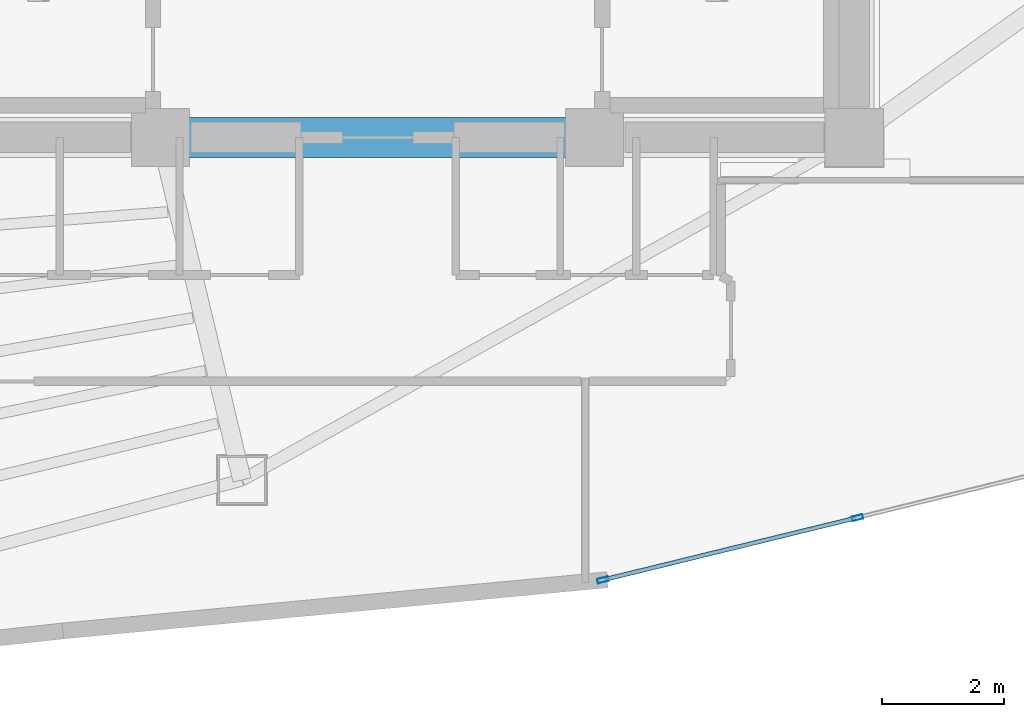
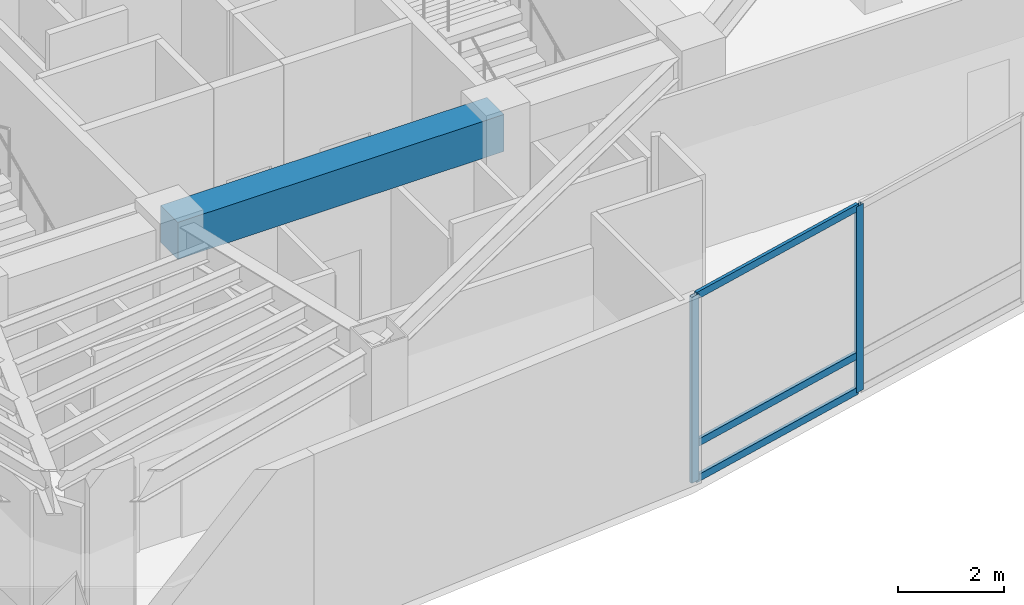
# One storey, part 4 of 17: 5 members, 1 beam, 1 element without a shape of its own.
"""IFC4 building model written with IfcOpenShell, lengths in metres."""

from ifc_helpers import new_model, si_unit, direction, frame, origin, origin_2d, place, context, subcontext, project, spatial, rectangle, hollow_rectangle, extrude, material, layer, layer_set, material_profile, profile_set, type_object, element, aggregate, save


model = new_model("IFC4")

# Units and contexts
model_context = context("Model", 3, precision=1e-05, world=origin(), true_north=direction((0.0, 1.0)))
body_context = subcontext(model_context, "Body", "Model", "MODEL_VIEW")
ifc_project = project(units=[si_unit("LENGTHUNIT", "METRE"), si_unit("AREAUNIT", "SQUARE_METRE"), si_unit("VOLUMEUNIT", "CUBIC_METRE"), si_unit("PLANEANGLEUNIT", "RADIAN"), si_unit("MASSUNIT", "GRAM", prefix="KILO")], contexts=[model_context])

# Site, building, storey
site_placement = place(None, origin())
site = spatial("IfcSite", under=ifc_project, at=site_placement, CompositionType="ELEMENT")
building_placement = place(site_placement, origin())
building = spatial("IfcBuilding", under=site, at=building_placement, Name="Menara Vayukalpa", CompositionType="ELEMENT")
storey_placement = place(building_placement, frame((0.0, 0.0, 242.639892578125)))
storey = spatial("IfcBuildingStorey", under=building, at=storey_placement, Name="L61", CompositionType="ELEMENT", Elevation=242.639892578125)

# Beam
ifc_material_1 = material(Name="Concrete C60/75", Category="concrete")
ifc_material_profile_1 = material_profile(ifc_material_1, rectangle(XDim=0.64990234375, YDim=0.85009765625, at=origin_2d()), Name="RC 650x850")
ifc_profile_set_1 = profile_set([ifc_material_profile_1], Name="Concrete C60/75")
beam_type = type_object("IfcBeamType", Name="BM-CB1", PredefinedType="BEAM", material=ifc_profile_set_1)
beam_placement = place(storey_placement, frame((22.050048828125, 17.199951171875, 3.855224609375), z_axis=(1.0, 0.0, 0.0), x_axis=(0.0, 1.0, 0.0)))
element("IfcBeam", 1, at=beam_placement, inside=storey, type_object=beam_type, Name="L61 Core Tie Beam CBR2", PredefinedType="BEAM", context=body_context, shape_type="SweptSolid", body=[
    extrude(rectangle(XDim=0.64990234375, YDim=0.85009765625, at=origin_2d()), origin(), (0.0, 0.0, 1.0), 7.099853515625),
])

# Curtain wall, members
ifc_material_2 = material(Name="Anodised Terracotta Aluminium Alloy 6063-T6", Category="masonry")
ifc_layer = layer(ifc_material_2, 0.179931640625)
ifc_layer_set = layer_set([ifc_layer], Name="Anodised Terracotta Aluminium Alloy 6063-T6")
curtain_wall_type = type_object("IfcCurtainWallType", Name="CW-CW4", PredefinedType="USERDEFINED", material=ifc_layer_set)
curtain_wall_placement = place(storey_placement, origin())
curtain_wall = element("IfcCurtainWall", 2, at=curtain_wall_placement, inside=storey, type_object=curtain_wall_type, Name="L61 Sky Bar Cantilever Glazed Curtain Wall CW4 16", ObjectType="UNITISED", PredefinedType="USERDEFINED")
ifc_material_3 = material(Name="Anodised Terracotta Aluminium Alloy 6063-T6", Category="masonry")
ifc_material_profile_2 = material_profile(ifc_material_3, hollow_rectangle(XDim=0.074951171875, YDim=0.179931640625, WallThickness=0.00390625, at=origin_2d()), Name="ALU 75x180x4")
ifc_profile_set_2 = profile_set([ifc_material_profile_2], Name="Anodised Terracotta Aluminium Alloy 6063-T6")
member_type_1 = type_object("IfcMemberType", Name="CWM-CW4", PredefinedType="MULLION", material=ifc_profile_set_2)
member_1_placement = place(storey_placement, frame((29.287109375, 9.958984375, 0.0), z_axis=(0.0, 0.0, 1.0), x_axis=(-0.237809768652, 0.971311749097, 0.0)))
member_1 = element("IfcMember", 3, at=member_1_placement, type_object=member_type_1, Name="CW4 mullion 1", PredefinedType="MULLION", context=body_context, shape_type="SweptSolid", body=[
    extrude(hollow_rectangle(XDim=0.074951171875, YDim=0.179931640625, WallThickness=0.00390625, at=origin_2d()), origin(), (0.0, 0.0, 1.0), 4.280029296875),
])
member_2_placement = place(storey_placement, frame((33.453369140625, 10.97900390625, 0.0), z_axis=(0.0, 0.0, 1.0), x_axis=(-0.237809768652, 0.971311749097, 0.0)))
member_2 = element("IfcMember", 4, at=member_2_placement, type_object=member_type_1, Name="CW4 mullion 2", PredefinedType="MULLION", context=body_context, shape_type="SweptSolid", body=[
    extrude(hollow_rectangle(XDim=0.074951171875, YDim=0.179931640625, WallThickness=0.00390625, at=origin_2d()), origin(), (0.0, 0.0, 1.0), 4.280029296875),
])
ifc_material_4 = material(Name="Anodised Terracotta Aluminium Alloy 6063-T6", Category="masonry")
ifc_material_profile_3 = material_profile(ifc_material_4, hollow_rectangle(XDim=0.070068359375, YDim=0.1650390625, WallThickness=0.00390625, at=origin_2d()), Name="ALU 70x165x4")
ifc_profile_set_3 = profile_set([ifc_material_profile_3], Name="Anodised Terracotta Aluminium Alloy 6063-T6")
member_type_2 = type_object("IfcMemberType", Name="CWT-CW4", PredefinedType="USERDEFINED", material=ifc_profile_set_3)
member_3_placement = place(storey_placement, frame((29.323486328125, 9.968017578125, 0.03515625), z_axis=(0.971313425115, 0.237802923009, 0.0), x_axis=(-0.237802923009, 0.971313425115, 0.0)))
member_3 = element("IfcMember", 5, at=member_3_placement, type_object=member_type_2, Name="CW4 transom 1.1", ObjectType="TRANSOM", PredefinedType="USERDEFINED", context=body_context, shape_type="SweptSolid", body=[
    extrude(hollow_rectangle(XDim=0.070068359375, YDim=0.1650390625, WallThickness=0.00390625, at=origin_2d()), origin(), (0.0, 0.0, 1.0), 4.21435546875),
])
member_4_placement = place(storey_placement, frame((29.323486328125, 9.968017578125, 0.85009765625), z_axis=(0.971313425115, 0.237802923009, 0.0), x_axis=(-0.237802923009, 0.971313425115, 0.0)))
member_4 = element("IfcMember", 6, at=member_4_placement, type_object=member_type_2, Name="CW4 transom 1.2", ObjectType="TRANSOM", PredefinedType="USERDEFINED", context=body_context, shape_type="SweptSolid", body=[
    extrude(hollow_rectangle(XDim=0.070068359375, YDim=0.1650390625, WallThickness=0.00390625, at=origin_2d()), origin(), (0.0, 0.0, 1.0), 4.21435546875),
])
member_5_placement = place(storey_placement, frame((29.323486328125, 9.968017578125, 4.2451171875), z_axis=(0.971313425115, 0.237802923009, 0.0), x_axis=(-0.237802923009, 0.971313425115, 0.0)))
member_5 = element("IfcMember", 7, at=member_5_placement, type_object=member_type_2, Name="CW4 transom 1.3", ObjectType="TRANSOM", PredefinedType="USERDEFINED", context=body_context, shape_type="SweptSolid", body=[
    extrude(hollow_rectangle(XDim=0.070068359375, YDim=0.1650390625, WallThickness=0.00390625, at=origin_2d()), origin(), (0.0, 0.0, 1.0), 4.21435546875),
])
aggregate(curtain_wall, [member_1, member_2, member_3, member_4, member_5])

save(model, "model.ifc")
